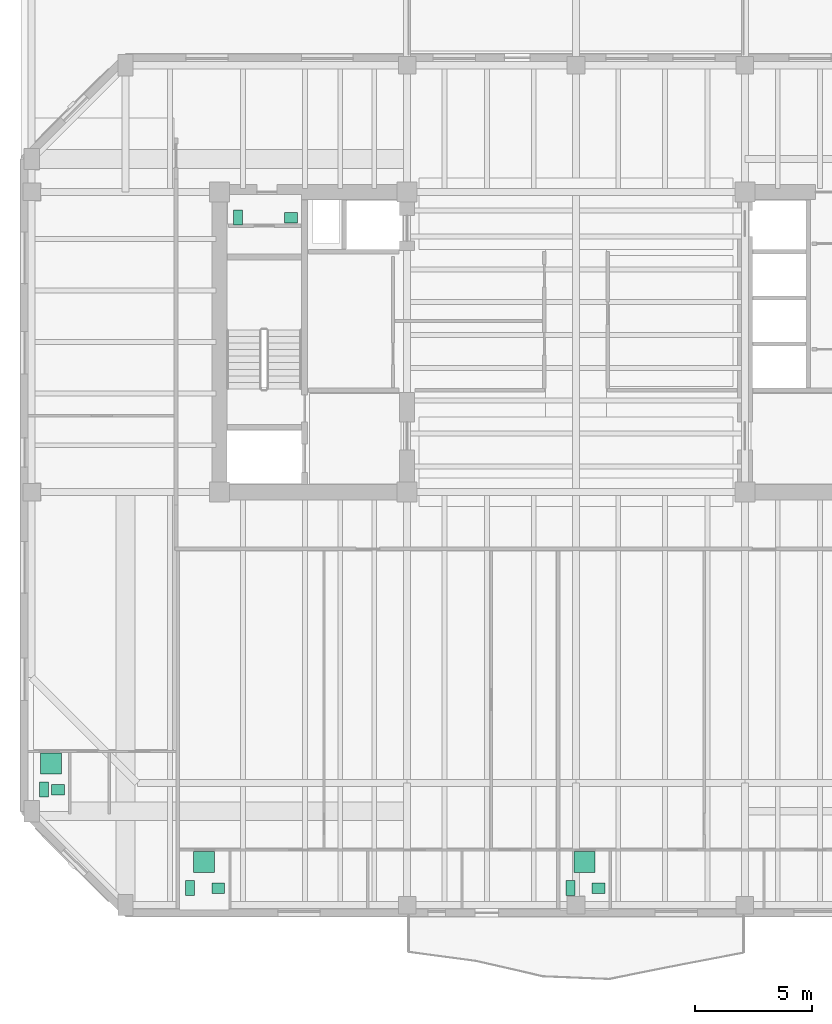
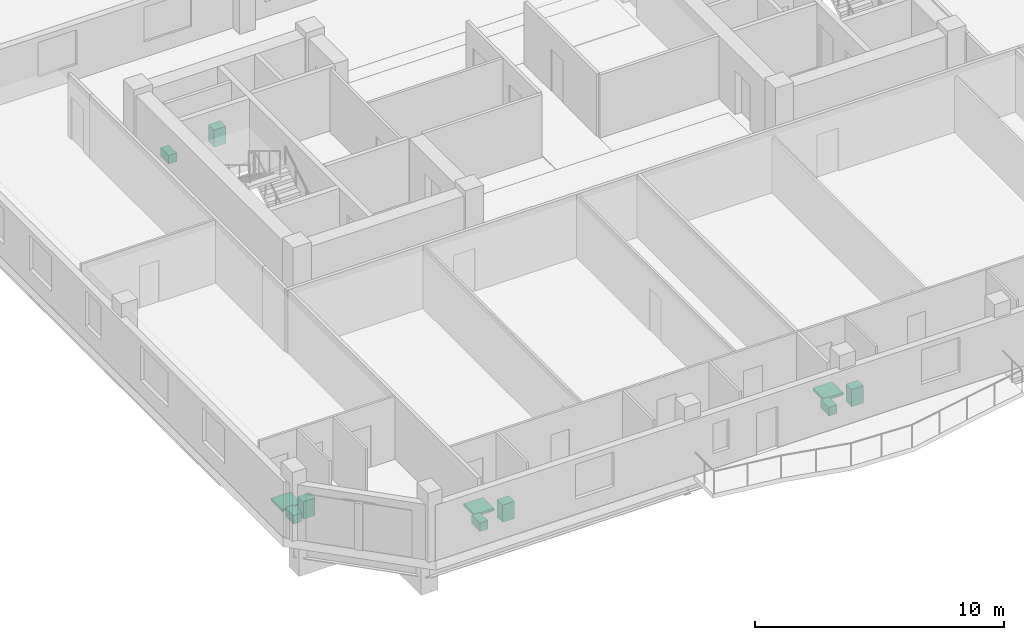
# One storey, part 11 of 11: 11 sanitary terminals.
"""IFC4 building model written with IfcOpenShell, lengths in metres."""

import ifcopenshell
import ifcopenshell.guid

model = None  # the IFC model being written
_history = None  # IfcOwnerHistory: only IFC2X3 demands one
_inside = {}  # id of a spatial element -> (the spatial element, [elements in it])
_under = {}  # id of a project, library or spatial element -> (it, [spatial elements below it])
_declared = {}  # id of a project -> (the project, [libraries it declares])
_typed = {}  # id of a type object -> (the type object, [elements of that type])
_made_of = {}  # id of a material, layer set ... -> (it, [elements and type objects made of it])


def new_model(schema):
    """Start an empty IFC model of exactly this schema.

    Asked for "IFC4X3", IfcOpenShell would pick the latest addendum, in which some entities
    have other attributes; the version numbers below select the first issue.
    IFC2X3 requires an IfcOwnerHistory on every rooted entity: one is made here for all.
    """
    global model, _history
    if schema == "IFC4X3":
        model = ifcopenshell.file(schema_version=(4, 3, 0, 0))
    else:
        model = ifcopenshell.file(schema=schema)
    _inside.clear()
    _under.clear()
    _declared.clear()
    _typed.clear()
    _made_of.clear()
    _history = None
    if model.schema == "IFC2X3":
        org = make("IfcOrganization", Name="unknown")
        user = make(
            "IfcPersonAndOrganization",
            ThePerson=make("IfcPerson", FamilyName="unknown"),
            TheOrganization=org,
        )
        app = make(
            "IfcApplication",
            ApplicationDeveloper=org,
            Version="unknown",
            ApplicationFullName="unknown",
            ApplicationIdentifier="unknown",
        )
        _history = make(
            "IfcOwnerHistory",
            OwningUser=user,
            OwningApplication=app,
            ChangeAction="ADDED",
            CreationDate=0,
        )
    return model


def make(cls, **values):
    """One entity of the class cls with the attributes given. An attribute that is None is left unset."""
    return model.create_entity(
        cls, **{name: value for name, value in values.items() if value is not None}
    )


def rooted(cls, **values):
    """An entity with a GlobalId (a new one), such as an element, a storey or a relation."""
    return make(cls, GlobalId=ifcopenshell.guid.new(), OwnerHistory=_history, **values)


def si_unit(unit_type, name, prefix=None):
    """IfcSIUnit, for example si_unit("LENGTHUNIT", "METRE", prefix="MILLI")."""
    return make("IfcSIUnit", UnitType=unit_type, Prefix=prefix, Name=name)


def assignment(units):
    """IfcUnitAssignment: the units of a project."""
    return None if units is None else make("IfcUnitAssignment", Units=units)


def point(xyz):
    """IfcCartesianPoint."""
    return None if xyz is None else make("IfcCartesianPoint", Coordinates=xyz)


def direction(xyz):
    """IfcDirection."""
    return None if xyz is None else make("IfcDirection", DirectionRatios=xyz)


def frame(location, z_axis=None, x_axis=None):
    """IfcAxis2Placement3D, a coordinate frame: its origin and axes. An axis left out is left unset."""
    return make(
        "IfcAxis2Placement3D",
        Location=point(location),
        Axis=direction(z_axis),
        RefDirection=direction(x_axis),
    )


def frame_2d(location, x_axis=None):
    """IfcAxis2Placement2D, a coordinate frame in the plane: its origin and x axis."""
    return make(
        "IfcAxis2Placement2D", Location=point(location), RefDirection=direction(x_axis)
    )


def origin():
    """The frame at (0, 0, 0) with its axes left unset."""
    return frame((0.0, 0.0, 0.0))


def origin_2d():
    """The frame at (0, 0) in the plane with its x axis left unset."""
    return frame_2d((0.0, 0.0))


def place(relative_to, where):
    """IfcLocalPlacement: puts the frame where relative to a parent placement (None: the world)."""
    return make(
        "IfcLocalPlacement", PlacementRelTo=relative_to, RelativePlacement=where
    )


def context(
    kind, dimensions, precision=None, world=None, true_north=None, identifier=None
):
    """IfcGeometricRepresentationContext, for example the 3D "Model" context."""
    return make(
        "IfcGeometricRepresentationContext",
        ContextIdentifier=identifier,
        ContextType=kind,
        CoordinateSpaceDimension=dimensions,
        Precision=precision,
        WorldCoordinateSystem=world,
        TrueNorth=true_north,
    )


def subcontext(parent, identifier, kind, view, scale=None):
    """IfcGeometricRepresentationSubContext, for example "Body" below "Model"."""
    return make(
        "IfcGeometricRepresentationSubContext",
        ContextIdentifier=identifier,
        ContextType=kind,
        ParentContext=parent,
        TargetScale=scale,
        TargetView=view,
    )


def project(units=None, contexts=None):
    """IfcProject with its units and contexts."""
    return rooted(
        "IfcProject",
        Name="project",
        RepresentationContexts=contexts,
        UnitsInContext=assignment(units),
    )


def spatial(cls, under=None, at=None, **own):
    """A site, building, storey or space (cls), placed at a placement, below another one or the project."""
    s = rooted(cls, ObjectPlacement=at, **own)
    if under is not None:
        _under.setdefault(under.id(), (under, []))[1].append(s)
    return s


def profile(cls, at=None, kind="AREA", **sizes):
    """A parametric profile (cls). Its sizes go by their IFC names, for example OverallWidth=200.0."""
    return make(cls, ProfileType=kind, Position=at, **sizes)


def rectangle(**sizes):
    """IfcRectangleProfileDef."""
    return profile("IfcRectangleProfileDef", **sizes)


def extrude(swept, where, along, depth):
    """IfcExtrudedAreaSolid: the profile swept, set in the frame where, extruded along a direction by depth."""
    return make(
        "IfcExtrudedAreaSolid",
        SweptArea=swept,
        Position=where,
        ExtrudedDirection=direction(along),
        Depth=depth,
    )


def shape(context_of_items, identifier, shape_type, items):
    """IfcShapeRepresentation: the items that make up one representation, for example the "Body"."""
    return make(
        "IfcShapeRepresentation",
        ContextOfItems=context_of_items,
        RepresentationIdentifier=identifier,
        RepresentationType=shape_type,
        Items=items,
    )


def material(Name=None, Category=None):
    """IfcMaterial."""
    return make("IfcMaterial", Name=Name, Category=Category)


def made_of(thing, what):
    """Note that an element or type object is made of a material, layer set ...; save() writes the relation."""
    if what is not None:
        _made_of.setdefault(what.id(), (what, []))[1].append(thing)
    return thing


def type_object(cls, material=None, **own):
    """A type object (cls), such as IfcWallType, which elements share."""
    return made_of(rooted(cls, **own), material)


def element(
    cls,
    number,
    at=None,
    inside=None,
    cuts=None,
    type_object=None,
    material=None,
    context=None,
    identifier="Body",
    shape_type=None,
    held_by="IfcProductDefinitionShape",
    body=None,
    shapes=None,
    **own,
):
    """One element of the class cls, such as IfcWall. Its Tag is "e" and its number.

    at: its placement. inside: the storey or other place that contains it. cuts: it is an
    opening in that element (IfcRelVoidsElement). A single representation is given by context,
    identifier, shape_type and body (its items); several are given by shapes. held_by: the class
    of the entity that holds the representations. save() writes the other relations.
    """
    e = rooted(cls, Tag="e%d" % number, ObjectPlacement=at, **own)
    if body is not None:
        shapes = [shape(context, identifier, shape_type, body)]
    if shapes is not None:
        e.Representation = make(held_by, Representations=shapes)
    if inside is not None:
        _inside.setdefault(inside.id(), (inside, []))[1].append(e)
    if cuts is not None:
        rooted(
            "IfcRelVoidsElement", RelatingBuildingElement=cuts, RelatedOpeningElement=e
        )
    if type_object is not None:
        _typed.setdefault(type_object.id(), (type_object, []))[1].append(e)
    return made_of(e, material)


def aggregate(whole, parts):
    """IfcRelAggregates: a whole, such as a stair, and the parts it consists of."""
    return rooted("IfcRelAggregates", RelatingObject=whole, RelatedObjects=parts)


def save(model, path):
    """Write the relations noted so far, then the file.

    IfcRelAggregates (storeys below a building ...), IfcRelContainedInSpatialStructure (elements
    in a storey), IfcRelDefinesByType, IfcRelAssociatesMaterial and IfcRelDeclares: one each for
    every whole, place, type object, material and project.
    """
    for whole, parts in _under.values():
        aggregate(whole, parts)
    for where, things in _inside.values():
        rooted(
            "IfcRelContainedInSpatialStructure",
            RelatedElements=things,
            RelatingStructure=where,
        )
    for kind, things in _typed.values():
        rooted("IfcRelDefinesByType", RelatedObjects=things, RelatingType=kind)
    for what, things in _made_of.values():
        rooted("IfcRelAssociatesMaterial", RelatedObjects=things, RelatingMaterial=what)
    for by, libraries in _declared.values():
        rooted("IfcRelDeclares", RelatingContext=by, RelatedDefinitions=libraries)
    model.write(path)


model = new_model("IFC4")

# Units and contexts
model_context = context("Model", 3, precision=1e-05, world=origin(), true_north=direction((0.0, 1.0)))
body_context = subcontext(model_context, "Body", "Model", "MODEL_VIEW")
ifc_project = project(units=[si_unit("LENGTHUNIT", "METRE"), si_unit("AREAUNIT", "SQUARE_METRE"), si_unit("VOLUMEUNIT", "CUBIC_METRE"), si_unit("PLANEANGLEUNIT", "RADIAN"), si_unit("MASSUNIT", "GRAM", prefix="KILO")], contexts=[model_context])

# Site, building, storey
site_placement = place(None, origin())
site = spatial("IfcSite", under=ifc_project, at=site_placement, CompositionType="ELEMENT")
building_placement = place(site_placement, origin())
building = spatial("IfcBuilding", under=site, at=building_placement, Name="Kranthara Brick Stack", CompositionType="ELEMENT")
storey_placement = place(building_placement, frame((0.0, 0.0, 207.5)))
storey = spatial("IfcBuildingStorey", under=building, at=storey_placement, Name="L53", CompositionType="ELEMENT", Elevation=207.5)

# Sanitary terminals
ifc_material_1 = material(Name="Vitreous china sanitary porcelain", Category="other")
sanitary_terminal_type_1 = type_object("IfcSanitaryTerminalType", Name="SAN-BASIN", PredefinedType="WASHHANDBASIN", material=ifc_material_1)
for number, where, z_axis, x_axis, name in (
    (1, (15.85009765625, 32.5048828125, 0.0), (0.0, 0.0, 1.0), (1.0, 0.0, 0.0), "L53 Washbasin 291"),
    (2, (12.75, 3.925048828125, 0.0), (0.0, 0.0, 1.0), (1.0, 0.0, 0.0), "L53 Washbasin 292"),
    (3, (28.964111328125, 3.925048828125, 0.0), (0.0, 0.0, 1.0), (1.0, 0.0, 0.0), "L53 Washbasin 293"),
    (4, (5.925048828125, 8.125, 0.0), (0.0, 0.0, 1.0), (1.0, 0.0, 0.0), "L53 Washbasin 294"),
):
    element("IfcSanitaryTerminal", number, at=place(storey_placement, frame(where, z_axis=z_axis, x_axis=x_axis)), inside=storey, type_object=sanitary_terminal_type_1, Name=name, PredefinedType="WASHHANDBASIN", context=body_context, shape_type="SweptSolid", body=[
        extrude(rectangle(XDim=0.550048828125, YDim=0.449951171875, at=origin_2d()), origin(), (0.0, 0.0, 1.0), 0.85009765625),
    ])
ifc_material_2 = material(Name="Acrylic and porcelain shower tray", Category="other")
sanitary_terminal_type_2 = type_object("IfcSanitaryTerminalType", Name="SAN-SHOWER", PredefinedType="SHOWER", material=ifc_material_2)
for number, where, z_axis, x_axis, name in (
    (5, (12.14990234375, 5.030029296875, 0.0), (0.0, 0.0, 1.0), (1.0, 0.0, 0.0), "L53 Shower Tray 292"),
    (6, (28.364013671875, 5.030029296875, 0.0), (0.0, 0.0, 1.0), (1.0, 0.0, 0.0), "L53 Shower Tray 293"),
    (7, (5.623046875, 9.22998046875, 0.0), (0.0, 0.0, 1.0), (1.0, 0.0, 0.0), "L53 Shower Tray 294"),
):
    element("IfcSanitaryTerminal", number, at=place(storey_placement, frame(where, z_axis=z_axis, x_axis=x_axis)), inside=storey, type_object=sanitary_terminal_type_2, Name=name, PredefinedType="SHOWER", context=body_context, shape_type="SweptSolid", body=[
        extrude(rectangle(XDim=0.89990234375, YDim=0.89990234375, at=origin_2d()), origin(), (0.0, 0.0, 1.0), 0.1201171875),
    ])
ifc_material_3 = material(Name="Vitreous china sanitary porcelain", Category="other")
sanitary_terminal_type_3 = type_object("IfcSanitaryTerminalType", Name="SAN-WC-PAN", PredefinedType="TOILETPAN", material=ifc_material_3)
for number, where, z_axis, x_axis, name in (
    (8, (13.60009765625, 32.5048828125, 0.0), (0.0, 0.0, 1.0), (1.0, 0.0, 0.0), "L53 WC Pan 291"),
    (9, (11.550048828125, 3.925048828125, 0.0), (0.0, 0.0, 1.0), (1.0, 0.0, 0.0), "L53 WC Pan 292"),
    (10, (27.763916015625, 3.925048828125, 0.0), (0.0, 0.0, 1.0), (1.0, 0.0, 0.0), "L53 WC Pan 293"),
    (11, (5.320068359375, 8.125, 0.0), (0.0, 0.0, 1.0), (1.0, 0.0, 0.0), "L53 WC Pan 294"),
):
    element("IfcSanitaryTerminal", number, at=place(storey_placement, frame(where, z_axis=z_axis, x_axis=x_axis)), inside=storey, type_object=sanitary_terminal_type_3, Name=name, PredefinedType="TOILETPAN", context=body_context, shape_type="SweptSolid", body=[
        extrude(rectangle(XDim=0.3798828125, YDim=0.64990234375, at=origin_2d()), origin(), (0.0, 0.0, 1.0), 0.419921875),
    ])

save(model, "model.ifc")
